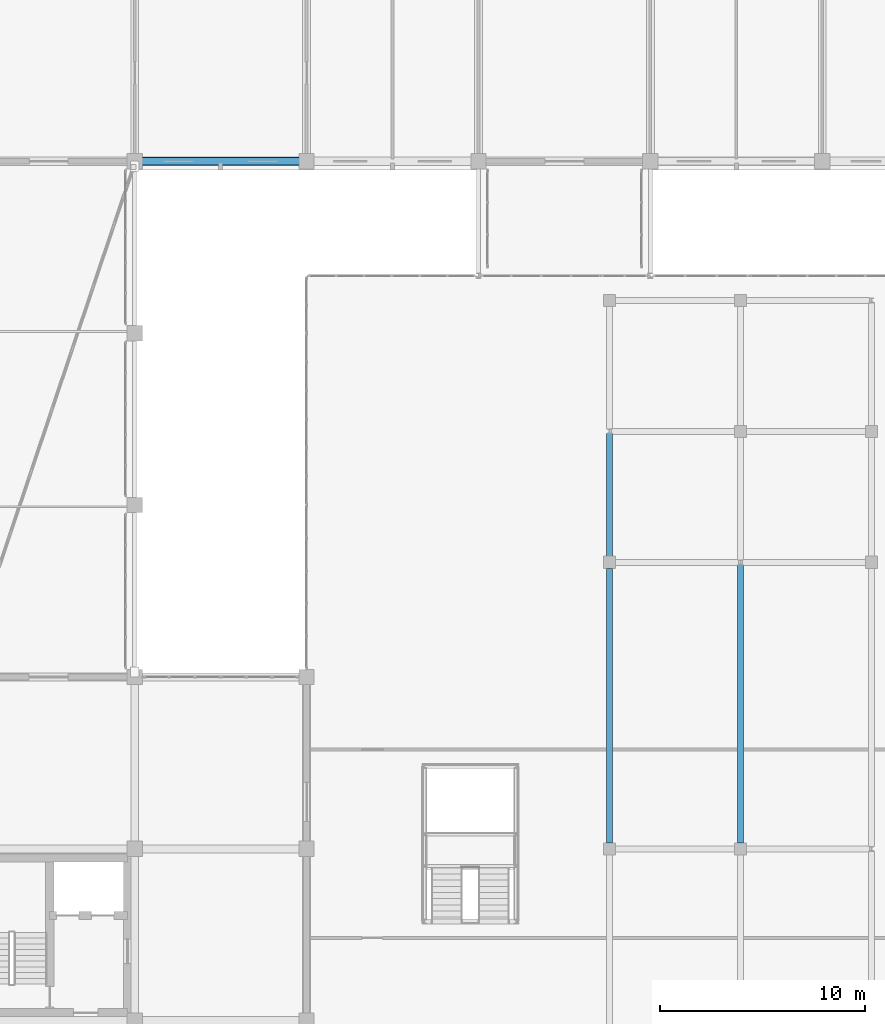
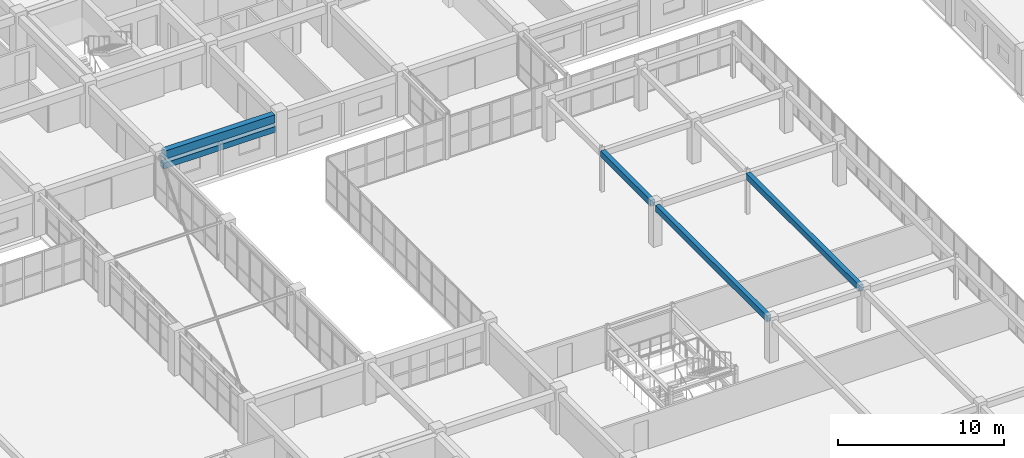
# One storey, part 108 of 200: 5 beams.
"""IFC4 building model written with IfcOpenShell, lengths in metres."""

from ifc_helpers import new_model, si_unit, direction, frame, origin, origin_2d, place, context, subcontext, project, spatial, rectangle, extrude, material, material_profile, profile_set, type_object, element, save


model = new_model("IFC4")

# Units and contexts
model_context = context("Model", 3, precision=1e-05, world=origin(), true_north=direction((0.0, 1.0)))
body_context = subcontext(model_context, "Body", "Model", "MODEL_VIEW")
ifc_project = project(units=[si_unit("LENGTHUNIT", "METRE"), si_unit("AREAUNIT", "SQUARE_METRE"), si_unit("VOLUMEUNIT", "CUBIC_METRE"), si_unit("PLANEANGLEUNIT", "RADIAN"), si_unit("MASSUNIT", "GRAM", prefix="KILO")], contexts=[model_context])

# Site, building, storey
site_placement = place(None, origin())
site = spatial("IfcSite", under=ifc_project, at=site_placement, CompositionType="ELEMENT")
building_placement = place(site_placement, origin())
building = spatial("IfcBuilding", under=site, at=building_placement, Name="Trelvath General Hospital", CompositionType="ELEMENT")
storey_placement = place(building_placement, frame((0.0, 0.0, 4.800048828125)))
storey = spatial("IfcBuildingStorey", under=building, at=storey_placement, Name="L01", CompositionType="ELEMENT", Elevation=4.800048828125)

# Beams
ifc_material_1 = material(Name="Concrete C35/45", Category="concrete")
ifc_material_profile_1 = material_profile(ifc_material_1, rectangle(XDim=0.300048828125, YDim=0.449951171875, at=origin_2d()), Name="RCB300x450")
ifc_profile_set_1 = profile_set([ifc_material_profile_1], Name="Concrete C35/45")
beam_type_1 = type_object("IfcBeamType", Name="Beam RC300x450", PredefinedType="BEAM", material=ifc_profile_set_1)
beam_1_placement = place(storey_placement, frame((107.199951171875, 59.095947265625, 2.8349609375), z_axis=(0.0, 1.0, 0.0), x_axis=(-1.0, 0.0, 0.0)))
element("IfcBeam", 1, at=beam_1_placement, inside=storey, type_object=beam_type_1, Name="Cube Interior Ring Beam CUBE-E-T0 L01", PredefinedType="BEAM", context=body_context, shape_type="SweptSolid", body=[
    extrude(rectangle(XDim=0.300048828125, YDim=0.449951171875, at=origin_2d()), origin(), (0.0, 0.0, 1.0), 13.407958984375),
])
beam_2_placement = place(storey_placement, frame((107.199951171875, 73.095947265625, 2.8349609375), z_axis=(0.0, 1.0, 0.0), x_axis=(-1.0, 0.0, 0.0)))
element("IfcBeam", 2, at=beam_2_placement, inside=storey, type_object=beam_type_1, Name="Cube Interior Ring Beam CUBE-E-T0 L01", PredefinedType="BEAM", context=body_context, shape_type="SweptSolid", body=[
    extrude(rectangle(XDim=0.300048828125, YDim=0.449951171875, at=origin_2d()), origin(), (0.0, 0.0, 1.0), 5.998046875),
])
beam_3_placement = place(storey_placement, frame((113.60009765625, 59.095947265625, 2.8349609375), z_axis=(0.0, 1.0, 0.0), x_axis=(-1.0, 0.0, 0.0)))
element("IfcBeam", 3, at=beam_3_placement, inside=storey, type_object=beam_type_1, Name="Cube Interior Ring Beam CUBE-E-T0 L01", PredefinedType="BEAM", context=body_context, shape_type="SweptSolid", body=[
    extrude(rectangle(XDim=0.300048828125, YDim=0.449951171875, at=origin_2d()), origin(), (0.0, 0.0, 1.0), 13.59814453125),
])
ifc_material_2 = material(Name="Concrete C35/45", Category="concrete")
ifc_material_profile_2 = material_profile(ifc_material_2, rectangle(XDim=0.39990234375, YDim=0.60009765625, at=origin_2d()), Name="RCB400x600")
ifc_profile_set_2 = profile_set([ifc_material_profile_2], Name="Concrete C35/45")
beam_type_2 = type_object("IfcBeamType", Name="Beam RC400x600", PredefinedType="BEAM", material=ifc_profile_set_2)
beam_4_placement = place(storey_placement, frame((84.3701171875, 92.39990234375, 2.719970703125), z_axis=(1.0, 0.0, 0.0), x_axis=(0.0, 1.0, 0.0)))
element("IfcBeam", 4, at=beam_4_placement, inside=storey, type_object=beam_type_2, Name="Grid Beam BX-110L", PredefinedType="BEAM", context=body_context, shape_type="SweptSolid", body=[
    extrude(rectangle(XDim=0.39990234375, YDim=0.60009765625, at=origin_2d()), origin(), (0.0, 0.0, 1.0), 7.659912109375),
])
ifc_material_3 = material(Name="Precast concrete C40/50", Category="concrete")
ifc_material_profile_3 = material_profile(ifc_material_3, rectangle(XDim=0.35009765625, YDim=0.419921875, at=origin_2d()), Name="PCL350x420")
ifc_profile_set_3 = profile_set([ifc_material_profile_3], Name="Precast concrete C40/50")
beam_type_3 = type_object("IfcBeamType", Name="Lintel PC350x420", PredefinedType="LINTEL", material=ifc_profile_set_3)
beam_5_placement = place(storey_placement, frame((92.110107421875, 92.39990234375, 1.919921875), z_axis=(-1.0, 0.0, 0.0), x_axis=(0.0, -1.0, 0.0)))
element("IfcBeam", 5, at=beam_5_placement, inside=storey, type_object=beam_type_3, Name="Precast Window Brow Lintel L01-168", PredefinedType="LINTEL", context=body_context, shape_type="SweptSolid", body=[
    extrude(rectangle(XDim=0.35009765625, YDim=0.419921875, at=origin_2d()), origin(), (0.0, 0.0, 1.0), 7.820068359375),
])

save(model, "model.ifc")
